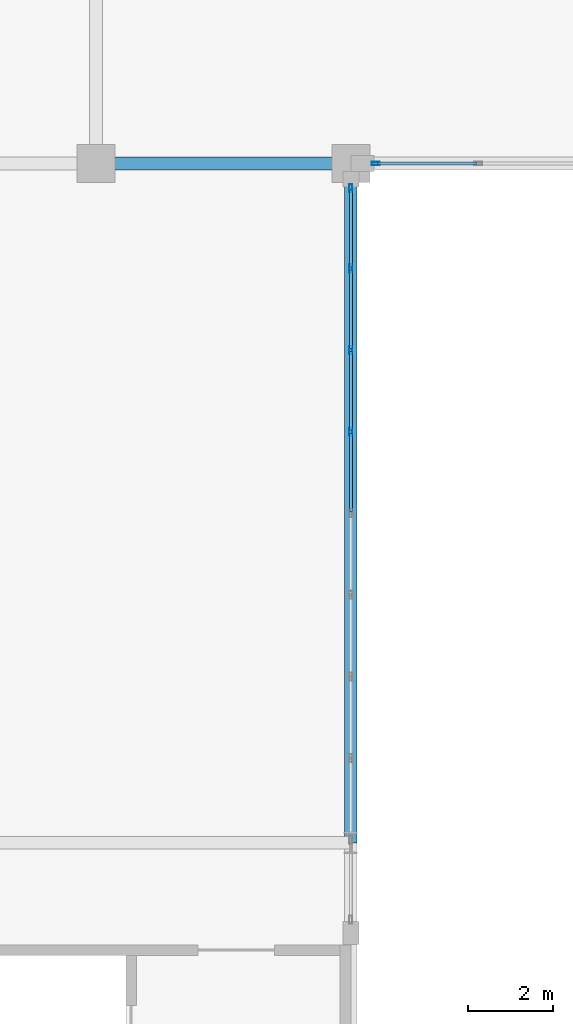
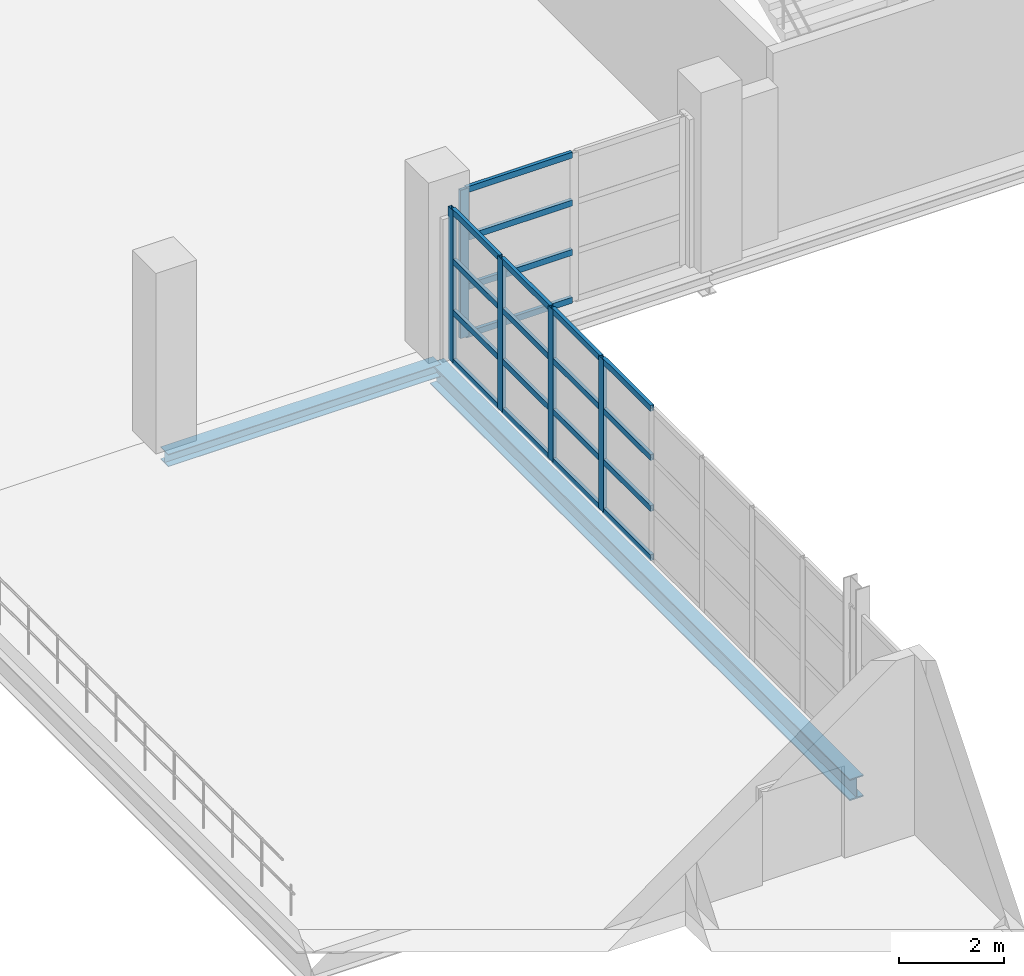
# One storey, part 57 of 158: 25 members, 2 beams, 2 elements without a shape of their own.
"""IFC4 building model written with IfcOpenShell, lengths in metres."""

from ifc_helpers import new_model, si_unit, direction, frame, origin, origin_2d, place, context, subcontext, project, spatial, hollow_rectangle, i_section, extrude, material, layer, layer_set, material_profile, profile_set, type_object, element, aggregate, save


model = new_model("IFC4")

# Units and contexts
model_context = context("Model", 3, precision=1e-05, world=origin(), true_north=direction((0.0, 1.0)))
body_context = subcontext(model_context, "Body", "Model", "MODEL_VIEW")
ifc_project = project(units=[si_unit("LENGTHUNIT", "METRE"), si_unit("AREAUNIT", "SQUARE_METRE"), si_unit("VOLUMEUNIT", "CUBIC_METRE"), si_unit("PLANEANGLEUNIT", "RADIAN"), si_unit("MASSUNIT", "GRAM", prefix="KILO")], contexts=[model_context])

# Site, building, storey
site_placement = place(None, origin())
site = spatial("IfcSite", under=ifc_project, at=site_placement, CompositionType="ELEMENT")
building_placement = place(site_placement, origin())
building = spatial("IfcBuilding", under=site, at=building_placement, Name="Zilviju Railside Exhibition Hall", CompositionType="ELEMENT")
storey_placement = place(building_placement, frame((0.0, 0.0, 4.199951171875)))
storey = spatial("IfcBuildingStorey", under=building, at=storey_placement, Name="L02", CompositionType="ELEMENT", Elevation=4.199951171875)

# Beams
ifc_material_1 = material(Name="Steel S355J2", Category="steel")
ifc_material_profile_1 = material_profile(ifc_material_1, i_section(OverallWidth=0.300048828125, OverallDepth=0.2900390625, WebThickness=0.008544921875, FlangeThickness=0.013916015625, at=origin_2d()), Name="HEA 300")
ifc_profile_set_1 = profile_set([ifc_material_profile_1], Name="Steel S355J2")
beam_type_1 = type_object("IfcBeamType", Name="BM-HEA300", PredefinedType="SPANDREL", material=ifc_profile_set_1)
beam_1_placement = place(storey_placement, frame((96.0, 84.0, -0.494873046875), z_axis=(1.0, 0.0, 0.0), x_axis=(0.0, 1.0, 0.0)))
element("IfcBeam", 1, at=beam_1_placement, inside=storey, type_object=beam_type_1, Name="Primary Girder L02 Y=84.0 (96.0..102.0)", PredefinedType="SPANDREL", context=body_context, shape_type="SweptSolid", body=[
    extrude(i_section(OverallWidth=0.300048828125, OverallDepth=0.2900390625, WebThickness=0.008544921875, FlangeThickness=0.013916015625, at=origin_2d()), origin(), (0.0, 0.0, 1.0), 6.0),
])
ifc_material_profile_2 = material_profile(ifc_material_1, i_section(OverallWidth=0.300048828125, OverallDepth=0.5, WebThickness=0.014404296875, FlangeThickness=0.028076171875, at=origin_2d()), Name="HEB 500")
ifc_profile_set_2 = profile_set([ifc_material_profile_2], Name="Steel S355J2")
beam_type_2 = type_object("IfcBeamType", Name="BM-HEB500", PredefinedType="BEAM", material=ifc_profile_set_2)
beam_2_placement = place(storey_placement, frame((102.0, 68.0, -0.599853515625), z_axis=(0.0, 1.0, 0.0), x_axis=(-1.0, 0.0, 0.0)))
element("IfcBeam", 2, at=beam_2_placement, inside=storey, type_object=beam_type_2, Name="Transverse Girder L02 X=102.0 (68.0..84.0)", PredefinedType="BEAM", context=body_context, shape_type="SweptSolid", body=[
    extrude(i_section(OverallWidth=0.300048828125, OverallDepth=0.5, WebThickness=0.014404296875, FlangeThickness=0.028076171875, at=origin_2d()), origin(), (0.0, 0.0, 1.0), 16.0),
])

# Curtain wall, member
ifc_material_2 = material(Name="Thermally broken aluminium-steel triple-glazed curtain wall", Category="steel")
ifc_layer_1 = layer(ifc_material_2, 0.179931640625)
ifc_layer_set_1 = layer_set([ifc_layer_1], Name="Thermally broken aluminium-steel triple-glazed curtain wall")
curtain_wall_type_1 = type_object("IfcCurtainWallType", Name="CW-BAY-05", PredefinedType="USERDEFINED", material=ifc_layer_set_1)
curtain_wall_1_placement = place(storey_placement, origin())
curtain_wall_1 = element("IfcCurtainWall", 3, at=curtain_wall_1_placement, inside=storey, type_object=curtain_wall_type_1, Name="North Hall Garden Court Curtain Wall L02 (102..108)", ObjectType="GLAZED CURTAIN WALL", PredefinedType="USERDEFINED")
ifc_material_3 = material(Name="Thermally broken anodized aluminium mullion", Category="aluminium")
ifc_material_profile_3 = material_profile(ifc_material_3, hollow_rectangle(XDim=0.074951171875, YDim=0.18994140625, WallThickness=0.0048828125, at=origin_2d()), Name="MULLION 190x75x5")
ifc_profile_set_3 = profile_set([ifc_material_profile_3], Name="Thermally broken anodized aluminium mullion")
member_type_1 = type_object("IfcMemberType", Name="CWM-75x190", PredefinedType="MULLION", material=ifc_profile_set_3)
member_1_placement = place(storey_placement, frame((102.58740234375, 84.0, 0.0), z_axis=(0.0, 0.0, 1.0), x_axis=(0.0, -1.0, 0.0)))
member_1 = element("IfcMember", 4, at=member_1_placement, type_object=member_type_1, Name="CW-05 mullion 3", PredefinedType="MULLION", context=body_context, shape_type="SweptSolid", body=[
    extrude(hollow_rectangle(XDim=0.074951171875, YDim=0.18994140625, WallThickness=0.0048828125, at=origin_2d()), origin(), (0.0, 0.0, 1.0), 3.449951171875),
])

# Curtain wall, members
ifc_layer_2 = layer(ifc_material_2, 0.179931640625)
ifc_layer_set_2 = layer_set([ifc_layer_2], Name="Thermally broken aluminium-steel triple-glazed curtain wall")
curtain_wall_type_2 = type_object("IfcCurtainWallType", Name="CW-BAY-15", PredefinedType="USERDEFINED", material=ifc_layer_set_2)
curtain_wall_2_placement = place(storey_placement, origin())
curtain_wall_2 = element("IfcCurtainWall", 5, at=curtain_wall_2_placement, inside=storey, type_object=curtain_wall_type_2, Name="Water Court Pavilion Curtain Wall L02", ObjectType="GLAZED CURTAIN WALL", PredefinedType="USERDEFINED")
member_2_placement = place(storey_placement, frame((102.0, 83.41259765625, 0.0), z_axis=(0.0, 0.0, 1.0), x_axis=(1.0, 0.0, 0.0)))
member_2 = element("IfcMember", 6, at=member_2_placement, type_object=member_type_1, Name="CW-15 mullion 1", PredefinedType="MULLION", context=body_context, shape_type="SweptSolid", body=[
    extrude(hollow_rectangle(XDim=0.074951171875, YDim=0.18994140625, WallThickness=0.0048828125, at=origin_2d()), origin(), (0.0, 0.0, 1.0), 3.550048828125),
])
member_3_placement = place(storey_placement, frame((102.0, 81.52783203125, 0.0), z_axis=(0.0, 0.0, 1.0), x_axis=(1.0, 0.0, 0.0)))
member_3 = element("IfcMember", 7, at=member_3_placement, type_object=member_type_1, Name="CW-15 mullion 2", PredefinedType="MULLION", context=body_context, shape_type="SweptSolid", body=[
    extrude(hollow_rectangle(XDim=0.074951171875, YDim=0.18994140625, WallThickness=0.0048828125, at=origin_2d()), origin(), (0.0, 0.0, 1.0), 3.550048828125),
])
member_4_placement = place(storey_placement, frame((102.0, 79.60546875, 0.0), z_axis=(0.0, 0.0, 1.0), x_axis=(1.0, 0.0, 0.0)))
member_4 = element("IfcMember", 8, at=member_4_placement, type_object=member_type_1, Name="CW-15 mullion 3", PredefinedType="MULLION", context=body_context, shape_type="SweptSolid", body=[
    extrude(hollow_rectangle(XDim=0.074951171875, YDim=0.18994140625, WallThickness=0.0048828125, at=origin_2d()), origin(), (0.0, 0.0, 1.0), 3.550048828125),
])
member_5_placement = place(storey_placement, frame((102.0, 77.683349609375, 0.0), z_axis=(0.0, 0.0, 1.0), x_axis=(1.0, 0.0, 0.0)))
member_5 = element("IfcMember", 9, at=member_5_placement, type_object=member_type_1, Name="CW-15 mullion 4", PredefinedType="MULLION", context=body_context, shape_type="SweptSolid", body=[
    extrude(hollow_rectangle(XDim=0.074951171875, YDim=0.18994140625, WallThickness=0.0048828125, at=origin_2d()), origin(), (0.0, 0.0, 1.0), 3.550048828125),
])

# Member
ifc_material_4 = material(Name="Thermally broken anodized aluminium transom", Category="aluminium")
ifc_material_profile_4 = material_profile(ifc_material_4, hollow_rectangle(XDim=0.074951171875, YDim=0.139892578125, WallThickness=0.0048828125, at=origin_2d()), Name="TRANSOM 140x75x5")
ifc_profile_set_4 = profile_set([ifc_material_profile_4], Name="Thermally broken anodized aluminium transom")
member_type_2 = type_object("IfcMemberType", Name="CWT-75x140", PredefinedType="USERDEFINED", material=ifc_profile_set_4)
member_6_placement = place(storey_placement, frame((104.96240234375, 84.0, 0.03759765625), z_axis=(-1.0, 0.0, 0.0), x_axis=(0.0, -1.0, 0.0)))
member_6 = element("IfcMember", 10, at=member_6_placement, type_object=member_type_2, Name="CW-05 transom 2.1", ObjectType="TRANSOM", PredefinedType="USERDEFINED", context=body_context, shape_type="SweptSolid", body=[
    extrude(hollow_rectangle(XDim=0.074951171875, YDim=0.139892578125, WallThickness=0.0048828125, at=origin_2d()), origin(), (0.0, 0.0, 1.0), 2.33740234375),
])

member_7_placement = place(storey_placement, frame((104.96240234375, 84.0, 1.150146484375), z_axis=(-1.0, 0.0, 0.0), x_axis=(0.0, -1.0, 0.0)))
member_7 = element("IfcMember", 11, at=member_7_placement, type_object=member_type_2, Name="CW-05 transom 2.2", ObjectType="TRANSOM", PredefinedType="USERDEFINED", context=body_context, shape_type="SweptSolid", body=[
    extrude(hollow_rectangle(XDim=0.074951171875, YDim=0.139892578125, WallThickness=0.0048828125, at=origin_2d()), origin(), (0.0, 0.0, 1.0), 2.33740234375),
])

member_8_placement = place(storey_placement, frame((104.96240234375, 84.0, 2.300048828125), z_axis=(-1.0, 0.0, 0.0), x_axis=(0.0, -1.0, 0.0)))
member_8 = element("IfcMember", 12, at=member_8_placement, type_object=member_type_2, Name="CW-05 transom 2.3", ObjectType="TRANSOM", PredefinedType="USERDEFINED", context=body_context, shape_type="SweptSolid", body=[
    extrude(hollow_rectangle(XDim=0.074951171875, YDim=0.139892578125, WallThickness=0.0048828125, at=origin_2d()), origin(), (0.0, 0.0, 1.0), 2.33740234375),
])

member_9_placement = place(storey_placement, frame((104.96240234375, 84.0, 3.41259765625), z_axis=(-1.0, 0.0, 0.0), x_axis=(0.0, -1.0, 0.0)))
member_9 = element("IfcMember", 13, at=member_9_placement, type_object=member_type_2, Name="CW-05 transom 2.4", ObjectType="TRANSOM", PredefinedType="USERDEFINED", context=body_context, shape_type="SweptSolid", body=[
    extrude(hollow_rectangle(XDim=0.074951171875, YDim=0.139892578125, WallThickness=0.0048828125, at=origin_2d()), origin(), (0.0, 0.0, 1.0), 2.33740234375),
])

aggregate(curtain_wall_1, [member_1, member_6, member_7, member_8, member_9])

member_10_placement = place(storey_placement, frame((102.0, 83.375, 0.03759765625), z_axis=(0.0, -1.0, 0.0), x_axis=(1.0, 0.0, 0.0)))
member_10 = element("IfcMember", 14, at=member_10_placement, type_object=member_type_2, Name="CW-15 transom 1.1", ObjectType="TRANSOM", PredefinedType="USERDEFINED", context=body_context, shape_type="SweptSolid", body=[
    extrude(hollow_rectangle(XDim=0.074951171875, YDim=0.139892578125, WallThickness=0.0048828125, at=origin_2d()), origin(), (0.0, 0.0, 1.0), 1.809814453125),
])

member_11_placement = place(storey_placement, frame((102.0, 83.375, 1.18310546875), z_axis=(0.0, -1.0, 0.0), x_axis=(1.0, 0.0, 0.0)))
member_11 = element("IfcMember", 15, at=member_11_placement, type_object=member_type_2, Name="CW-15 transom 1.2", ObjectType="TRANSOM", PredefinedType="USERDEFINED", context=body_context, shape_type="SweptSolid", body=[
    extrude(hollow_rectangle(XDim=0.074951171875, YDim=0.139892578125, WallThickness=0.0048828125, at=origin_2d()), origin(), (0.0, 0.0, 1.0), 1.809814453125),
])

member_12_placement = place(storey_placement, frame((102.0, 83.375, 2.366943359375), z_axis=(0.0, -1.0, 0.0), x_axis=(1.0, 0.0, 0.0)))
member_12 = element("IfcMember", 16, at=member_12_placement, type_object=member_type_2, Name="CW-15 transom 1.3", ObjectType="TRANSOM", PredefinedType="USERDEFINED", context=body_context, shape_type="SweptSolid", body=[
    extrude(hollow_rectangle(XDim=0.074951171875, YDim=0.139892578125, WallThickness=0.0048828125, at=origin_2d()), origin(), (0.0, 0.0, 1.0), 1.809814453125),
])

member_13_placement = place(storey_placement, frame((102.0, 83.375, 3.512451171875), z_axis=(0.0, -1.0, 0.0), x_axis=(1.0, 0.0, 0.0)))
member_13 = element("IfcMember", 17, at=member_13_placement, type_object=member_type_2, Name="CW-15 transom 1.4", ObjectType="TRANSOM", PredefinedType="USERDEFINED", context=body_context, shape_type="SweptSolid", body=[
    extrude(hollow_rectangle(XDim=0.074951171875, YDim=0.139892578125, WallThickness=0.0048828125, at=origin_2d()), origin(), (0.0, 0.0, 1.0), 1.809814453125),
])

member_14_placement = place(storey_placement, frame((102.0, 81.490234375, 0.03759765625), z_axis=(0.0, -1.0, 0.0), x_axis=(1.0, 0.0, 0.0)))
member_14 = element("IfcMember", 18, at=member_14_placement, type_object=member_type_2, Name="CW-15 transom 2.1", ObjectType="TRANSOM", PredefinedType="USERDEFINED", context=body_context, shape_type="SweptSolid", body=[
    extrude(hollow_rectangle(XDim=0.074951171875, YDim=0.139892578125, WallThickness=0.0048828125, at=origin_2d()), origin(), (0.0, 0.0, 1.0), 1.84716796875),
])

member_15_placement = place(storey_placement, frame((102.0, 81.490234375, 1.18310546875), z_axis=(0.0, -1.0, 0.0), x_axis=(1.0, 0.0, 0.0)))
member_15 = element("IfcMember", 19, at=member_15_placement, type_object=member_type_2, Name="CW-15 transom 2.2", ObjectType="TRANSOM", PredefinedType="USERDEFINED", context=body_context, shape_type="SweptSolid", body=[
    extrude(hollow_rectangle(XDim=0.074951171875, YDim=0.139892578125, WallThickness=0.0048828125, at=origin_2d()), origin(), (0.0, 0.0, 1.0), 1.84716796875),
])

member_16_placement = place(storey_placement, frame((102.0, 81.490234375, 2.366943359375), z_axis=(0.0, -1.0, 0.0), x_axis=(1.0, 0.0, 0.0)))
member_16 = element("IfcMember", 20, at=member_16_placement, type_object=member_type_2, Name="CW-15 transom 2.3", ObjectType="TRANSOM", PredefinedType="USERDEFINED", context=body_context, shape_type="SweptSolid", body=[
    extrude(hollow_rectangle(XDim=0.074951171875, YDim=0.139892578125, WallThickness=0.0048828125, at=origin_2d()), origin(), (0.0, 0.0, 1.0), 1.84716796875),
])

member_17_placement = place(storey_placement, frame((102.0, 81.490234375, 3.512451171875), z_axis=(0.0, -1.0, 0.0), x_axis=(1.0, 0.0, 0.0)))
member_17 = element("IfcMember", 21, at=member_17_placement, type_object=member_type_2, Name="CW-15 transom 2.4", ObjectType="TRANSOM", PredefinedType="USERDEFINED", context=body_context, shape_type="SweptSolid", body=[
    extrude(hollow_rectangle(XDim=0.074951171875, YDim=0.139892578125, WallThickness=0.0048828125, at=origin_2d()), origin(), (0.0, 0.0, 1.0), 1.84716796875),
])

member_18_placement = place(storey_placement, frame((102.0, 79.568115234375, 0.03759765625), z_axis=(0.0, -1.0, 0.0), x_axis=(1.0, 0.0, 0.0)))
member_18 = element("IfcMember", 22, at=member_18_placement, type_object=member_type_2, Name="CW-15 transom 3.1", ObjectType="TRANSOM", PredefinedType="USERDEFINED", context=body_context, shape_type="SweptSolid", body=[
    extrude(hollow_rectangle(XDim=0.074951171875, YDim=0.139892578125, WallThickness=0.0048828125, at=origin_2d()), origin(), (0.0, 0.0, 1.0), 1.84716796875),
])

member_19_placement = place(storey_placement, frame((102.0, 79.568115234375, 1.18310546875), z_axis=(0.0, -1.0, 0.0), x_axis=(1.0, 0.0, 0.0)))
member_19 = element("IfcMember", 23, at=member_19_placement, type_object=member_type_2, Name="CW-15 transom 3.2", ObjectType="TRANSOM", PredefinedType="USERDEFINED", context=body_context, shape_type="SweptSolid", body=[
    extrude(hollow_rectangle(XDim=0.074951171875, YDim=0.139892578125, WallThickness=0.0048828125, at=origin_2d()), origin(), (0.0, 0.0, 1.0), 1.84716796875),
])

member_20_placement = place(storey_placement, frame((102.0, 79.568115234375, 2.366943359375), z_axis=(0.0, -1.0, 0.0), x_axis=(1.0, 0.0, 0.0)))
member_20 = element("IfcMember", 24, at=member_20_placement, type_object=member_type_2, Name="CW-15 transom 3.3", ObjectType="TRANSOM", PredefinedType="USERDEFINED", context=body_context, shape_type="SweptSolid", body=[
    extrude(hollow_rectangle(XDim=0.074951171875, YDim=0.139892578125, WallThickness=0.0048828125, at=origin_2d()), origin(), (0.0, 0.0, 1.0), 1.84716796875),
])

member_21_placement = place(storey_placement, frame((102.0, 79.568115234375, 3.512451171875), z_axis=(0.0, -1.0, 0.0), x_axis=(1.0, 0.0, 0.0)))
member_21 = element("IfcMember", 25, at=member_21_placement, type_object=member_type_2, Name="CW-15 transom 3.4", ObjectType="TRANSOM", PredefinedType="USERDEFINED", context=body_context, shape_type="SweptSolid", body=[
    extrude(hollow_rectangle(XDim=0.074951171875, YDim=0.139892578125, WallThickness=0.0048828125, at=origin_2d()), origin(), (0.0, 0.0, 1.0), 1.84716796875),
])

member_22_placement = place(storey_placement, frame((102.0, 77.645751953125, 0.03759765625), z_axis=(0.0, -1.0, 0.0), x_axis=(1.0, 0.0, 0.0)))
member_22 = element("IfcMember", 26, at=member_22_placement, type_object=member_type_2, Name="CW-15 transom 4.1", ObjectType="TRANSOM", PredefinedType="USERDEFINED", context=body_context, shape_type="SweptSolid", body=[
    extrude(hollow_rectangle(XDim=0.074951171875, YDim=0.139892578125, WallThickness=0.0048828125, at=origin_2d()), origin(), (0.0, 0.0, 1.0), 1.84716796875),
])

member_23_placement = place(storey_placement, frame((102.0, 77.645751953125, 1.18310546875), z_axis=(0.0, -1.0, 0.0), x_axis=(1.0, 0.0, 0.0)))
member_23 = element("IfcMember", 27, at=member_23_placement, type_object=member_type_2, Name="CW-15 transom 4.2", ObjectType="TRANSOM", PredefinedType="USERDEFINED", context=body_context, shape_type="SweptSolid", body=[
    extrude(hollow_rectangle(XDim=0.074951171875, YDim=0.139892578125, WallThickness=0.0048828125, at=origin_2d()), origin(), (0.0, 0.0, 1.0), 1.84716796875),
])

member_24_placement = place(storey_placement, frame((102.0, 77.645751953125, 2.366943359375), z_axis=(0.0, -1.0, 0.0), x_axis=(1.0, 0.0, 0.0)))
member_24 = element("IfcMember", 28, at=member_24_placement, type_object=member_type_2, Name="CW-15 transom 4.3", ObjectType="TRANSOM", PredefinedType="USERDEFINED", context=body_context, shape_type="SweptSolid", body=[
    extrude(hollow_rectangle(XDim=0.074951171875, YDim=0.139892578125, WallThickness=0.0048828125, at=origin_2d()), origin(), (0.0, 0.0, 1.0), 1.84716796875),
])

member_25_placement = place(storey_placement, frame((102.0, 77.645751953125, 3.512451171875), z_axis=(0.0, -1.0, 0.0), x_axis=(1.0, 0.0, 0.0)))
member_25 = element("IfcMember", 29, at=member_25_placement, type_object=member_type_2, Name="CW-15 transom 4.4", ObjectType="TRANSOM", PredefinedType="USERDEFINED", context=body_context, shape_type="SweptSolid", body=[
    extrude(hollow_rectangle(XDim=0.074951171875, YDim=0.139892578125, WallThickness=0.0048828125, at=origin_2d()), origin(), (0.0, 0.0, 1.0), 1.84716796875),
])

aggregate(curtain_wall_2, [member_2, member_3, member_4, member_5, member_10, member_11, member_12, member_13, member_14, member_15, member_16, member_17, member_18, member_19, member_20, member_21, member_22, member_23, member_24, member_25])

save(model, "model.ifc")
